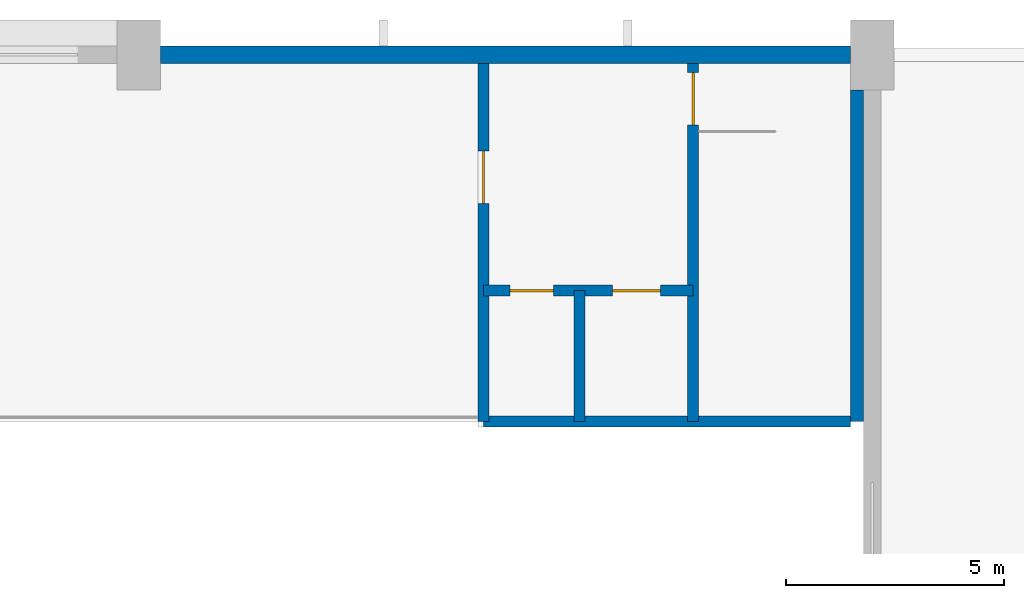
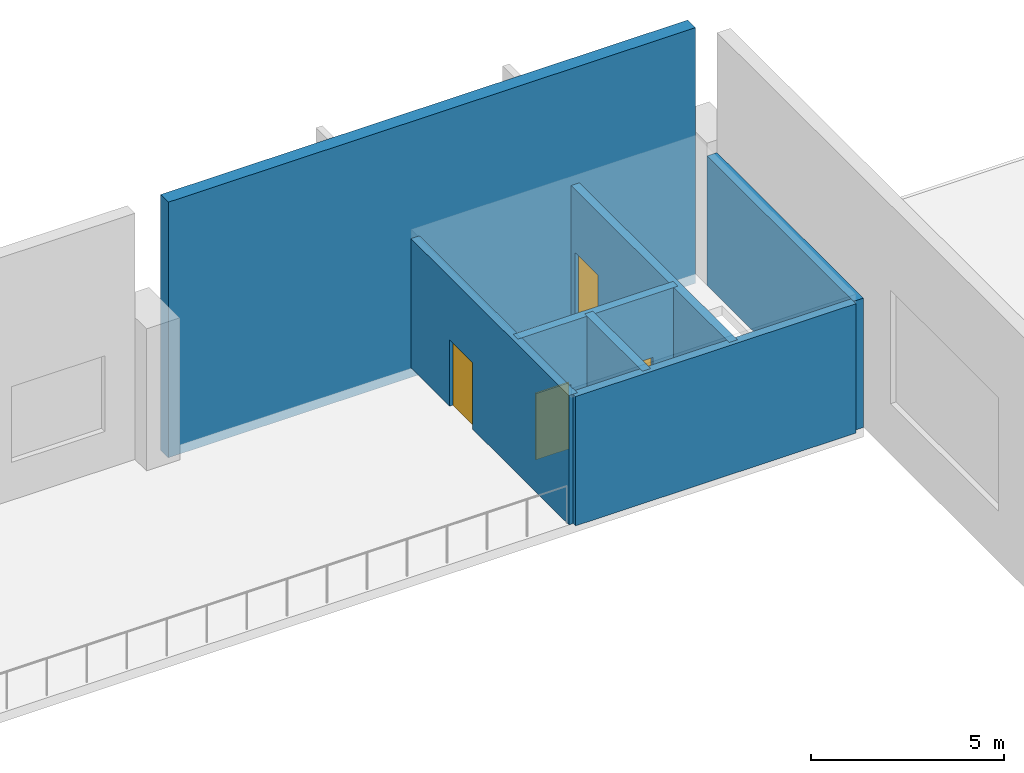
# One storey, part 96 of 162: 7 walls, 4 doors, 4 openings.
"""IFC4 building model written with IfcOpenShell, lengths in metres."""

from ifc_helpers import new_model, si_unit, direction, frame, frame_2d, origin, place, context, subcontext, project, spatial, rectangle, extrude, material, layer, layer_set, type_object, element, fill, save


model = new_model("IFC4")

# Units and contexts
model_context = context("Model", 3, precision=1e-05, world=origin(), true_north=direction((0.0, 1.0)))
body_context = subcontext(model_context, "Body", "Model", "MODEL_VIEW")
ifc_project = project(units=[si_unit("LENGTHUNIT", "METRE"), si_unit("AREAUNIT", "SQUARE_METRE"), si_unit("VOLUMEUNIT", "CUBIC_METRE"), si_unit("PLANEANGLEUNIT", "RADIAN"), si_unit("MASSUNIT", "GRAM", prefix="KILO")], contexts=[model_context])

# Site, building, storey
site_placement = place(None, origin())
site = spatial("IfcSite", under=ifc_project, at=site_placement, CompositionType="ELEMENT")
building_placement = place(site_placement, origin())
building = spatial("IfcBuilding", under=site, at=building_placement, Name="Rain Tree Exposition and Congress Centre", CompositionType="ELEMENT")
storey_placement = place(building_placement, frame((0.0, 0.0, 6.0)))
storey = spatial("IfcBuildingStorey", under=building, at=storey_placement, Name="L01", CompositionType="ELEMENT", Elevation=6.0)

# Wall
ifc_material_1 = material(Name="Concrete C40/50", Category="concrete")
ifc_layer_1 = layer(ifc_material_1, 0.300048828125)
ifc_layer_set_1 = layer_set([ifc_layer_1], Name="Concrete C40/50")
wall_type_1 = type_object("IfcWallType", Name="Core gable pier wall 300", PredefinedType="SHEAR", material=ifc_layer_set_1)
wall_1_placement = place(storey_placement, frame((243.25, 200.800048828125, 0.0), z_axis=(0.0, 0.0, 1.0), x_axis=(0.0, -1.0, 0.0)))
element("IfcWall", 1, at=wall_1_placement, inside=storey, type_object=wall_type_1, Name="Gable pier wall 8", PredefinedType="SHEAR", context=body_context, shape_type="SweptSolid", body=[
    extrude(rectangle(XDim=7.60009765625, YDim=0.300048828125, at=frame_2d((3.800048828125, 0.0))), origin(), (0.0, 0.0, 1.0), 4.10009765625),
])

# Wall, opening, door
ifc_material_2 = material(Name="Concrete C40/50", Category="concrete")
ifc_layer_2 = layer(ifc_material_2, 0.25)
ifc_layer_set_2 = layer_set([ifc_layer_2], Name="Concrete C40/50")
wall_type_2 = type_object("IfcWallType", Name="Core wall 250", PredefinedType="SHEAR", material=ifc_layer_set_2)
wall_2_placement = place(storey_placement, frame((239.5, 201.39990234375, 0.0), z_axis=(0.0, 0.0, 1.0), x_axis=(0.0, -1.0, 0.0)))
wall_2 = element("IfcWall", 2, at=wall_2_placement, inside=storey, type_object=wall_type_2, Name="Stair wall 8", PredefinedType="SHEAR", context=body_context, shape_type="SweptSolid", body=[
    extrude(rectangle(XDim=8.199951171875, YDim=0.25, at=frame_2d((4.10009765625, 0.0))), origin(), (0.0, 0.0, 1.0), 4.10009765625),
])
opening_1_placement = place(wall_2_placement, frame((0.199951171875, 0.0, 0.0)))
opening_1 = element("IfcOpeningElement", 3, at=opening_1_placement, cuts=wall_2, Name="Opening DH241", PredefinedType="OPENING", context=body_context, shape_type="SweptSolid", body=[
    extrude(rectangle(XDim=1.199951171875, YDim=2.10009765625, at=frame_2d((0.60009765625, 1.050048828125))), frame((0.0, 0.125, 0.0), z_axis=(0.0, -1.0, 0.0), x_axis=(1.0, 0.0, 0.0)), (0.0, 0.0, 1.0), 0.25),
])
ifc_material_3 = material(Name="Painted steel fire door", Category="steel")
door_type_1 = type_object("IfcDoorType", Name="Stair fire door 1200x2100", OperationType="NOTDEFINED", PredefinedType="DOOR", material=ifc_material_3)
door_1_placement = place(opening_1_placement, origin())
door_1 = element("IfcDoor", 4, at=door_1_placement, inside=storey, type_object=door_type_1, Name="Door DH241", OperationType="SINGLE_SWING_LEFT", OverallHeight=2.10009765625, OverallWidth=1.199951171875, PredefinedType="DOOR", context=body_context, shape_type="SweptSolid", body=[
    extrude(rectangle(XDim=1.199951171875, YDim=2.10009765625, at=frame_2d((0.60009765625, 1.050048828125))), frame((0.0, 0.02490234375, 0.0), z_axis=(0.0, -1.0, 0.0), x_axis=(1.0, 0.0, 0.0)), (0.0, 0.0, 1.0), 0.050048828125),
])
fill(opening_1, door_1)

# Wall
wall_3_placement = place(storey_placement, frame((243.10009765625, 193.199951171875, 0.0), z_axis=(0.0, 0.0, 1.0), x_axis=(-1.0, 0.0, 0.0)))
element("IfcWall", 5, at=wall_3_placement, inside=storey, type_object=wall_type_2, Name="Core north wall 8", PredefinedType="SHEAR", context=body_context, shape_type="SweptSolid", body=[
    extrude(rectangle(XDim=8.400146484375, YDim=0.25, at=frame_2d((4.2001953125, 0.0))), origin(), (0.0, 0.0, 1.0), 4.10009765625),
])

# Wall, opening, door
wall_4_placement = place(storey_placement, frame((234.699951171875, 201.39990234375, 0.0), z_axis=(0.0, 0.0, 1.0), x_axis=(0.0, -1.0, 0.0)))
wall_4 = element("IfcWall", 6, at=wall_4_placement, inside=storey, type_object=wall_type_2, Name="Core east wall 8", PredefinedType="SHEAR", context=body_context, shape_type="SweptSolid", body=[
    extrude(rectangle(XDim=8.199951171875, YDim=0.25, at=frame_2d((4.10009765625, 0.0))), origin(), (0.0, 0.0, 1.0), 4.10009765625),
])
opening_2_placement = place(wall_4_placement, frame((2.0, 0.0, 0.0)))
opening_2 = element("IfcOpeningElement", 7, at=opening_2_placement, cuts=wall_4, Name="Opening DH242", PredefinedType="OPENING", context=body_context, shape_type="SweptSolid", body=[
    extrude(rectangle(XDim=1.199951171875, YDim=2.10009765625, at=frame_2d((0.60009765625, 1.050048828125))), frame((0.0, 0.125, 0.0), z_axis=(0.0, -1.0, 0.0), x_axis=(1.0, 0.0, 0.0)), (0.0, 0.0, 1.0), 0.25),
])
ifc_material_4 = material(Name="Painted steel fire door", Category="steel")
door_type_2 = type_object("IfcDoorType", Name="Lobby fire door 1200x2100", OperationType="NOTDEFINED", PredefinedType="DOOR", material=ifc_material_4)
door_2_placement = place(opening_2_placement, origin())
door_2 = element("IfcDoor", 8, at=door_2_placement, inside=storey, type_object=door_type_2, Name="Door DH242", OperationType="SINGLE_SWING_LEFT", OverallHeight=2.10009765625, OverallWidth=1.199951171875, PredefinedType="DOOR", context=body_context, shape_type="SweptSolid", body=[
    extrude(rectangle(XDim=1.199951171875, YDim=2.10009765625, at=frame_2d((0.60009765625, 1.050048828125))), frame((0.0, 0.02490234375, 0.0), z_axis=(0.0, -1.0, 0.0), x_axis=(1.0, 0.0, 0.0)), (0.0, 0.0, 1.0), 0.050048828125),
])
fill(opening_2, door_2)

# Wall, openings, doors
wall_5_placement = place(storey_placement, frame((239.5, 196.199951171875, 0.0), z_axis=(0.0, 0.0, 1.0), x_axis=(-1.0, 0.0, 0.0)))
wall_5 = element("IfcWall", 9, at=wall_5_placement, inside=storey, type_object=wall_type_2, Name="Lift lobby wall 8", PredefinedType="SHEAR", context=body_context, shape_type="SweptSolid", body=[
    extrude(rectangle(XDim=4.800048828125, YDim=0.25, at=frame_2d((2.39990234375, 0.0))), origin(), (0.0, 0.0, 1.0), 4.10009765625),
])
opening_3_placement = place(wall_5_placement, frame((0.75, 0.0, 0.0)))
opening_3 = element("IfcOpeningElement", 10, at=opening_3_placement, cuts=wall_5, Name="Opening DH243", PredefinedType="OPENING", context=body_context, shape_type="SweptSolid", body=[
    extrude(rectangle(XDim=1.10009765625, YDim=2.10009765625, at=frame_2d((0.550048828125, 1.050048828125))), frame((0.0, 0.125, 0.0), z_axis=(0.0, -1.0, 0.0), x_axis=(1.0, 0.0, 0.0)), (0.0, 0.0, 1.0), 0.25),
])
opening_4_placement = place(wall_5_placement, frame((3.199951171875, 0.0, 0.0)))
opening_4 = element("IfcOpeningElement", 11, at=opening_4_placement, cuts=wall_5, Name="Opening DH244", PredefinedType="OPENING", context=body_context, shape_type="SweptSolid", body=[
    extrude(rectangle(XDim=1.0, YDim=2.10009765625, at=frame_2d((0.5, 1.050048828125))), frame((0.0, 0.125, 0.0), z_axis=(0.0, -1.0, 0.0), x_axis=(1.0, 0.0, 0.0)), (0.0, 0.0, 1.0), 0.25),
])
ifc_material_5 = material(Name="Stainless steel", Category="steel")
door_type_3 = type_object("IfcDoorType", Name="Lift landing door 1100x2100", OperationType="DOUBLE_DOOR_SLIDING", PredefinedType="DOOR", material=ifc_material_5)
door_3_placement = place(opening_3_placement, origin())
door_3 = element("IfcDoor", 12, at=door_3_placement, inside=storey, type_object=door_type_3, Name="Door DH243", OperationType="DOUBLE_DOOR_SLIDING", OverallHeight=2.10009765625, OverallWidth=1.10009765625, PredefinedType="DOOR", context=body_context, shape_type="SweptSolid", body=[
    extrude(rectangle(XDim=1.10009765625, YDim=2.10009765625, at=frame_2d((0.550048828125, 1.050048828125))), frame((0.0, 0.02490234375, 0.0), z_axis=(0.0, -1.0, 0.0), x_axis=(1.0, 0.0, 0.0)), (0.0, 0.0, 1.0), 0.050048828125),
])
fill(opening_3, door_3)
ifc_material_6 = material(Name="Painted steel door", Category="steel")
door_type_4 = type_object("IfcDoorType", Name="Single leaf door 1000x2100", OperationType="NOTDEFINED", PredefinedType="DOOR", material=ifc_material_6)
door_4_placement = place(opening_4_placement, origin())
door_4 = element("IfcDoor", 13, at=door_4_placement, inside=storey, type_object=door_type_4, Name="Door DH244", OperationType="SINGLE_SWING_RIGHT", OverallHeight=2.10009765625, OverallWidth=1.0, PredefinedType="DOOR", context=body_context, shape_type="SweptSolid", body=[
    extrude(rectangle(XDim=1.0, YDim=2.10009765625, at=frame_2d((0.5, 1.050048828125))), frame((0.0, 0.02490234375, 0.0), z_axis=(0.0, -1.0, 0.0), x_axis=(1.0, 0.0, 0.0)), (0.0, 0.0, 1.0), 0.050048828125),
])
fill(opening_4, door_4)

# Walls
wall_6_placement = place(storey_placement, frame((236.89990234375, 196.199951171875, 0.0), z_axis=(0.0, 0.0, 1.0), x_axis=(0.0, -1.0, 0.0)))
element("IfcWall", 14, at=wall_6_placement, inside=storey, type_object=wall_type_2, Name="Lift shaft wall 8", PredefinedType="SHEAR", context=body_context, shape_type="SweptSolid", body=[
    extrude(rectangle(XDim=3.0, YDim=0.25, at=frame_2d((1.5, 0.0))), origin(), (0.0, 0.0, 1.0), 4.10009765625),
])
ifc_material_7 = material(Name="Precast concrete C50/60", Category="concrete")
ifc_layer_3 = layer(ifc_material_7, 0.39990234375)
ifc_layer_set_3 = layer_set([ifc_layer_3], Name="Precast concrete C50/60")
wall_type_3 = type_object("IfcWallType", Name="Hall precast wall 400", PredefinedType="STANDARD", material=ifc_layer_set_3)
wall_7_placement = place(storey_placement, frame((227.300048828125, 201.60009765625, -0.300048828125), z_axis=(0.0, 0.0, 1.0), x_axis=(1.0, 0.0, 0.0)))
element("IfcWall", 15, at=wall_7_placement, inside=storey, type_object=wall_type_3, Name="Cladding wall N6", PredefinedType="STANDARD", context=body_context, shape_type="SweptSolid", body=[
    extrude(rectangle(XDim=15.800048828125, YDim=0.39990234375, at=frame_2d((7.89990234375, 0.0))), origin(), (0.0, 0.0, 1.0), 8.10009765625),
])

save(model, "model.ifc")
